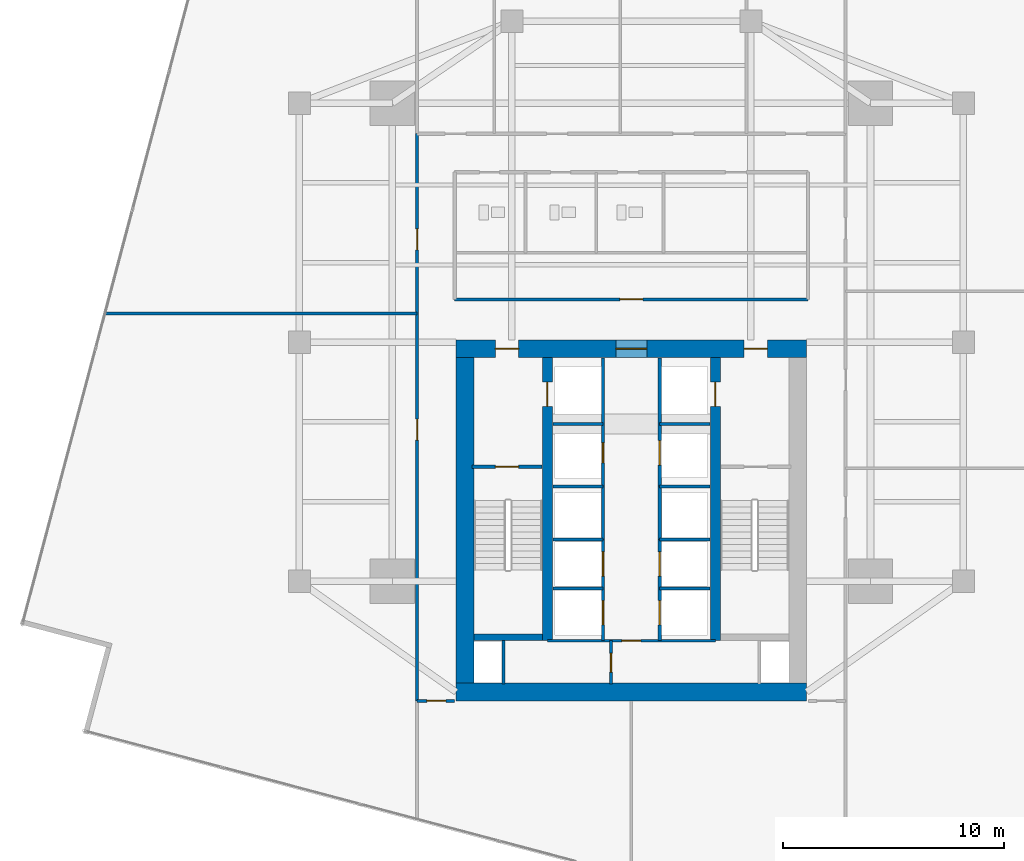
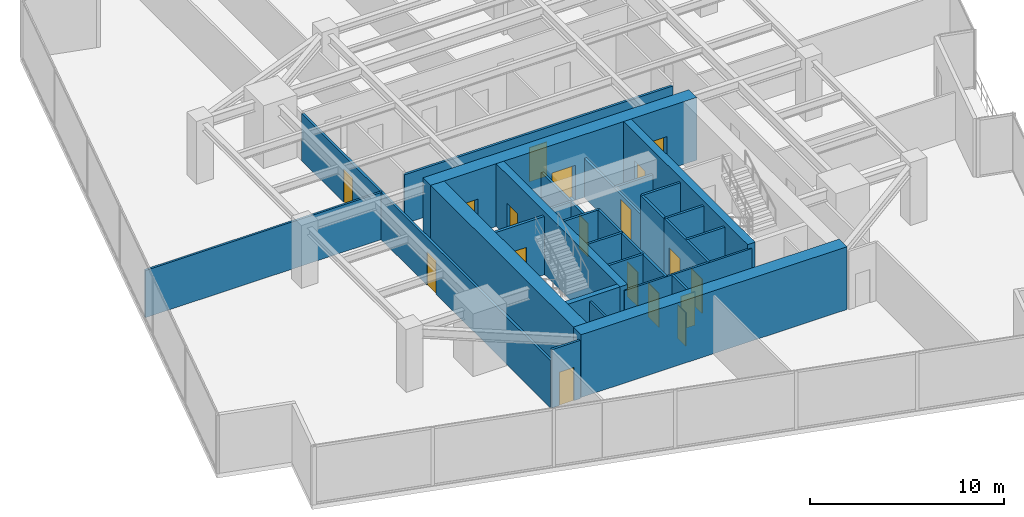
# One storey, part 23 of 27: 28 walls, 18 doors, 18 openings.
"""IFC4 building model written with IfcOpenShell, lengths in metres."""

from ifc_helpers import new_model, si_unit, direction, frame, frame_2d, origin, place, context, subcontext, project, spatial, rectangle, extrude, material, layer, layer_set, type_object, element, fill, save


model = new_model("IFC4")

# Units and contexts
model_context = context("Model", 3, precision=1e-05, world=origin(), true_north=direction((0.0, 1.0)))
body_context = subcontext(model_context, "Body", "Model", "MODEL_VIEW")
ifc_project = project(units=[si_unit("LENGTHUNIT", "METRE"), si_unit("AREAUNIT", "SQUARE_METRE"), si_unit("VOLUMEUNIT", "CUBIC_METRE"), si_unit("PLANEANGLEUNIT", "RADIAN"), si_unit("MASSUNIT", "GRAM", prefix="KILO")], contexts=[model_context])

# Site, building, storey
site_placement = place(None, origin())
site = spatial("IfcSite", under=ifc_project, at=site_placement, CompositionType="ELEMENT")
building_placement = place(site_placement, origin())
building = spatial("IfcBuilding", under=site, at=building_placement, Name="Krantzveldt Concourse Tower", CompositionType="ELEMENT")
storey_placement = place(building_placement, frame((0.0, 0.0, 97.949951171875)))
storey = spatial("IfcBuildingStorey", under=building, at=storey_placement, Name="L23", CompositionType="ELEMENT", Elevation=97.949951171875)

# Wall, opening, door
ifc_material_1 = material(Name="Fire-rated gypsum plasterboard on steel stud", Category="steel")
ifc_layer_1 = layer(ifc_material_1, 0.1201171875, Name="Fire-rated gypsum plasterboard on steel stud", Category="steel")
ifc_layer_set_1 = layer_set([ifc_layer_1], Name="Fire-rated gypsum plasterboard on steel stud (WL-PART-120)")
wall_type_1 = type_object("IfcWallType", Name="WL-PART-120", PredefinedType="PARTITIONING", material=ifc_layer_set_1)
wall_1_placement = place(storey_placement, frame((32.2099609375, 13.219970703125, 0.0), z_axis=(0.0, 0.0, 1.0), x_axis=(1.0, 0.0, 0.0)))
wall_1 = element("IfcWall", 1, at=wall_1_placement, inside=storey, type_object=wall_type_1, Name="WP-L23-CS2H", PredefinedType="PARTITIONING", context=body_context, shape_type="SweptSolid", body=[
    extrude(rectangle(XDim=7.580078125, YDim=0.1201171875, at=frame_2d((3.7900390625, 0.0))), origin(), (0.0, 0.0, 1.0), 3.670166015625),
])
opening_1_placement = place(wall_1_placement, frame((3.364990234375, 0.0, 0.0)))
opening_1 = element("IfcOpeningElement", 2, at=opening_1_placement, cuts=wall_1, Name="Opening D-IN085", PredefinedType="OPENING", context=body_context, shape_type="SweptSolid", body=[
    extrude(rectangle(XDim=0.85009765625, YDim=2.10009765625, at=frame_2d((0.425048828125, 1.050048828125))), frame((0.0, 0.070068359375, 0.0), z_axis=(0.0, -1.0, 0.0), x_axis=(1.0, 0.0, 0.0)), (0.0, 0.0, 1.0), 0.14013671875),
])
ifc_material_2 = material(Name="Hardwood timber", Category="wood")
door_type_1 = type_object("IfcDoorType", Name="DR-INT-850", OperationType="SINGLE_SWING_LEFT", PredefinedType="DOOR", material=ifc_material_2)
door_1_placement = place(opening_1_placement, origin())
door_1 = element("IfcDoor", 3, at=door_1_placement, inside=storey, type_object=door_type_1, Name="DR-L23-LLBS", OperationType="SINGLE_SWING_RIGHT", OverallHeight=2.10009765625, OverallWidth=0.85009765625, PredefinedType="DOOR", context=body_context, shape_type="SweptSolid", body=[
    extrude(rectangle(XDim=0.85009765625, YDim=2.10009765625, at=frame_2d((0.425048828125, 1.050048828125))), frame((0.0, 0.02490234375, 0.0), z_axis=(0.0, -1.0, 0.0), x_axis=(1.0, 0.0, 0.0)), (0.0, 0.0, 1.0), 0.050048828125),
])
fill(opening_1, door_1)

wall_2_placement = place(storey_placement, frame((35.080078125, 11.25, 0.0), z_axis=(0.0, 0.0, 1.0), x_axis=(0.0, 1.0, 0.0)))
wall_2 = element("IfcWall", 4, at=wall_2_placement, inside=storey, type_object=wall_type_1, Name="WP-L23-CSA-V", PredefinedType="PARTITIONING", context=body_context, shape_type="SweptSolid", body=[
    extrude(rectangle(XDim=1.969970703125, YDim=0.1201171875, at=frame_2d((0.98486328125, 0.0))), origin(), (0.0, 0.0, 1.0), 3.670166015625),
])
opening_2_placement = place(wall_2_placement, frame((0.544921875, 0.0, 0.0)))
opening_2 = element("IfcOpeningElement", 5, at=opening_2_placement, cuts=wall_2, Name="Opening D-IN085", PredefinedType="OPENING", context=body_context, shape_type="SweptSolid", body=[
    extrude(rectangle(XDim=0.85009765625, YDim=2.10009765625, at=frame_2d((0.425048828125, 1.050048828125))), frame((0.0, 0.070068359375, 0.0), z_axis=(0.0, -1.0, 0.0), x_axis=(1.0, 0.0, 0.0)), (0.0, 0.0, 1.0), 0.14013671875),
])
door_2_placement = place(opening_2_placement, origin())
door_2 = element("IfcDoor", 6, at=door_2_placement, inside=storey, type_object=door_type_1, Name="DR-L23-CSA1", OperationType="SINGLE_SWING_LEFT", OverallHeight=2.10009765625, OverallWidth=0.85009765625, PredefinedType="DOOR", context=body_context, shape_type="SweptSolid", body=[
    extrude(rectangle(XDim=0.85009765625, YDim=2.10009765625, at=frame_2d((0.425048828125, 1.050048828125))), frame((0.0, 0.02490234375, 0.0), z_axis=(0.0, -1.0, 0.0), x_axis=(1.0, 0.0, 0.0)), (0.0, 0.0, 1.0), 0.050048828125),
])
fill(opening_2, door_2)

# Wall
wall_3_placement = place(storey_placement, frame((12.22705078125, 28.0, 0.0), z_axis=(0.0, 0.0, 1.0), x_axis=(1.0, 0.0, 0.0)))
element("IfcWall", 7, at=wall_3_placement, inside=storey, type_object=wall_type_1, Name="WP-L23-WD1", PredefinedType="PARTITIONING", context=body_context, shape_type="SweptSolid", body=[
    extrude(rectangle(XDim=14.093017578125, YDim=0.1201171875, at=frame_2d((7.04638671875, 0.0))), origin(), (0.0, 0.0, 1.0), 2.969970703125),
])

# Wall, opening, door
ifc_layer_2 = layer(ifc_material_1, 0.139892578125, Name="Fire-rated gypsum plasterboard on steel stud", Category="steel")
ifc_layer_set_2 = layer_set([ifc_layer_2], Name="Fire-rated gypsum plasterboard on steel stud (WL-PART-140)")
wall_type_2 = type_object("IfcWallType", Name="WL-PART-140", PredefinedType="PARTITIONING", material=ifc_layer_set_2)
wall_4_placement = place(storey_placement, frame((28.02001953125, 28.639892578125, 0.0), z_axis=(0.0, 0.0, 1.0), x_axis=(1.0, 0.0, 0.0)))
wall_4 = element("IfcWall", 8, at=wall_4_placement, inside=storey, type_object=wall_type_2, Name="WP-L23-ISLS", PredefinedType="PARTITIONING", context=body_context, shape_type="SweptSolid", body=[
    extrude(rectangle(XDim=15.9599609375, YDim=0.139892578125, at=frame_2d((7.97998046875, 0.0))), origin(), (0.0, 0.0, 1.0), 3.080078125),
])
opening_3_placement = place(wall_4_placement, frame((7.455078125, 0.0, 0.0)))
opening_3 = element("IfcOpeningElement", 9, at=opening_3_placement, cuts=wall_4, Name="Opening D-IN105", PredefinedType="OPENING", context=body_context, shape_type="SweptSolid", body=[
    extrude(rectangle(XDim=1.050048828125, YDim=2.14990234375, at=frame_2d((0.52490234375, 1.074951171875))), frame((0.0, 0.080078125, 0.0), z_axis=(0.0, -1.0, 0.0), x_axis=(1.0, 0.0, 0.0)), (0.0, 0.0, 1.0), 0.159912109375),
])
door_type_2 = type_object("IfcDoorType", Name="DR-INT-1050", OperationType="SINGLE_SWING_LEFT", PredefinedType="DOOR", material=ifc_material_2)
door_3_placement = place(opening_3_placement, origin())
door_3 = element("IfcDoor", 10, at=door_3_placement, inside=storey, type_object=door_type_2, Name="DR-L23-MIDB", OperationType="SINGLE_SWING_LEFT", OverallHeight=2.14990234375, OverallWidth=1.050048828125, PredefinedType="DOOR", context=body_context, shape_type="SweptSolid", body=[
    extrude(rectangle(XDim=1.050048828125, YDim=2.14990234375, at=frame_2d((0.52490234375, 1.074951171875))), frame((0.0, 0.02490234375, 0.0), z_axis=(0.0, -1.0, 0.0), x_axis=(1.0, 0.0, 0.0)), (0.0, 0.0, 1.0), 0.050048828125),
])
fill(opening_3, door_3)

# Wall, openings, doors
wall_5_placement = place(storey_placement, frame((26.320068359375, 10.5, 0.0), z_axis=(0.0, 0.0, 1.0), x_axis=(0.0, 1.0, 0.0)))
wall_5 = element("IfcWall", 11, at=wall_5_placement, inside=storey, type_object=wall_type_2, Name="WP-L23-CWEST", PredefinedType="PARTITIONING", context=body_context, shape_type="SweptSolid", body=[
    extrude(rectangle(XDim=25.6201171875, YDim=0.139892578125, at=frame_2d((12.81005859375, 0.0))), origin(), (0.0, 0.0, 1.0), 2.969970703125),
])
opening_4_placement = place(wall_5_placement, frame((11.77490234375, 0.0, 0.0)))
opening_4 = element("IfcOpeningElement", 12, at=opening_4_placement, cuts=wall_5, Name="Opening D-IN095", PredefinedType="OPENING", context=body_context, shape_type="SweptSolid", body=[
    extrude(rectangle(XDim=0.949951171875, YDim=2.10009765625, at=frame_2d((0.47509765625, 1.050048828125))), frame((0.0, 0.080078125, 0.0), z_axis=(0.0, -1.0, 0.0), x_axis=(1.0, 0.0, 0.0)), (0.0, 0.0, 1.0), 0.159912109375),
])
opening_5_placement = place(wall_5_placement, frame((20.375, 0.0, 0.0)))
opening_5 = element("IfcOpeningElement", 13, at=opening_5_placement, cuts=wall_5, Name="Opening D-IN095", PredefinedType="OPENING", context=body_context, shape_type="SweptSolid", body=[
    extrude(rectangle(XDim=0.949951171875, YDim=2.10009765625, at=frame_2d((0.47509765625, 1.050048828125))), frame((0.0, 0.080078125, 0.0), z_axis=(0.0, -1.0, 0.0), x_axis=(1.0, 0.0, 0.0)), (0.0, 0.0, 1.0), 0.159912109375),
])
door_type_3 = type_object("IfcDoorType", Name="DR-INT-950", OperationType="SINGLE_SWING_LEFT", PredefinedType="DOOR", material=ifc_material_2)
door_4_placement = place(opening_4_placement, origin())
door_4 = element("IfcDoor", 14, at=door_4_placement, inside=storey, type_object=door_type_3, Name="DR-L23-WR1", OperationType="SINGLE_SWING_LEFT", OverallHeight=2.10009765625, OverallWidth=0.949951171875, PredefinedType="DOOR", context=body_context, shape_type="SweptSolid", body=[
    extrude(rectangle(XDim=0.949951171875, YDim=2.10009765625, at=frame_2d((0.47509765625, 1.050048828125))), frame((0.0, 0.02490234375, 0.0), z_axis=(0.0, -1.0, 0.0), x_axis=(1.0, 0.0, 0.0)), (0.0, 0.0, 1.0), 0.050048828125),
])
fill(opening_4, door_4)
door_5_placement = place(opening_5_placement, origin())
door_5 = element("IfcDoor", 15, at=door_5_placement, inside=storey, type_object=door_type_3, Name="DR-L23-WR2", OperationType="SINGLE_SWING_LEFT", OverallHeight=2.10009765625, OverallWidth=0.949951171875, PredefinedType="DOOR", context=body_context, shape_type="SweptSolid", body=[
    extrude(rectangle(XDim=0.949951171875, YDim=2.10009765625, at=frame_2d((0.47509765625, 1.050048828125))), frame((0.0, 0.02490234375, 0.0), z_axis=(0.0, -1.0, 0.0), x_axis=(1.0, 0.0, 0.0)), (0.0, 0.0, 1.0), 0.050048828125),
])
fill(opening_5, door_5)

# Wall, opening, door
wall_6_placement = place(storey_placement, frame((26.320068359375, 10.5, 0.0), z_axis=(0.0, 0.0, 1.0), x_axis=(1.0, 0.0, 0.0)))
wall_6 = element("IfcWall", 16, at=wall_6_placement, inside=storey, type_object=wall_type_2, Name="WP-L23-CWBOT", PredefinedType="PARTITIONING", context=body_context, shape_type="SweptSolid", body=[
    extrude(rectangle(XDim=1.679931640625, YDim=0.139892578125, at=frame_2d((0.83984375, 0.0))), origin(), (0.0, 0.0, 1.0), 3.670166015625),
])
opening_6_placement = place(wall_6_placement, frame((0.445068359375, 0.0, 0.0)))
opening_6 = element("IfcOpeningElement", 17, at=opening_6_placement, cuts=wall_6, Name="Opening D-IN085", PredefinedType="OPENING", context=body_context, shape_type="SweptSolid", body=[
    extrude(rectangle(XDim=0.85009765625, YDim=2.10009765625, at=frame_2d((0.425048828125, 1.050048828125))), frame((0.0, 0.080078125, 0.0), z_axis=(0.0, -1.0, 0.0), x_axis=(1.0, 0.0, 0.0)), (0.0, 0.0, 1.0), 0.159912109375),
])
door_6_placement = place(opening_6_placement, origin())
door_6 = element("IfcDoor", 18, at=door_6_placement, inside=storey, type_object=door_type_1, Name="DR-L23-SR1", OperationType="SINGLE_SWING_LEFT", OverallHeight=2.10009765625, OverallWidth=0.85009765625, PredefinedType="DOOR", context=body_context, shape_type="SweptSolid", body=[
    extrude(rectangle(XDim=0.85009765625, YDim=2.10009765625, at=frame_2d((0.425048828125, 1.050048828125))), frame((0.0, 0.02490234375, 0.0), z_axis=(0.0, -1.0, 0.0), x_axis=(1.0, 0.0, 0.0)), (0.0, 0.0, 1.0), 0.050048828125),
])
fill(opening_6, door_6)

ifc_layer_3 = layer(ifc_material_1, 0.139892578125, Name="Fire-rated gypsum plasterboard on steel stud", Category="steel")
ifc_layer_set_3 = layer_set([ifc_layer_3], Name="Fire-rated gypsum plasterboard on steel stud (WL-PART-FR140)")
wall_type_3 = type_object("IfcWallType", Name="WL-PART-FR140", PredefinedType="PARTITIONING", material=ifc_layer_set_3)
wall_7_placement = place(storey_placement, frame((34.719970703125, 20.199951171875, 0.0), z_axis=(0.0, 0.0, 1.0), x_axis=(0.0, 1.0, 0.0)))
wall_7 = element("IfcWall", 19, at=wall_7_placement, inside=storey, type_object=wall_type_3, Name="WP-L23-SHNW", PredefinedType="PARTITIONING", context=body_context, shape_type="SweptSolid", body=[
    extrude(rectangle(XDim=5.780029296875, YDim=0.139892578125, at=frame_2d((2.89013671875, 0.0))), origin(), (0.0, 0.0, 1.0), 2.469970703125),
])
opening_7_placement = place(wall_7_placement, frame((1.050048828125, 0.0, 0.0)))
opening_7 = element("IfcOpeningElement", 20, at=opening_7_placement, cuts=wall_7, Name="Opening D-FD090", PredefinedType="OPENING", context=body_context, shape_type="SweptSolid", body=[
    extrude(rectangle(XDim=0.89990234375, YDim=2.10009765625, at=frame_2d((0.449951171875, 1.050048828125))), frame((0.0, 0.080078125, 0.0), z_axis=(0.0, -1.0, 0.0), x_axis=(1.0, 0.0, 0.0)), (0.0, 0.0, 1.0), 0.159912109375),
])
door_type_4 = type_object("IfcDoorType", Name="DR-FD60-900", OperationType="SINGLE_SWING_LEFT", PredefinedType="DOOR", material=ifc_material_2)
door_7_placement = place(opening_7_placement, origin())
door_7 = element("IfcDoor", 21, at=door_7_placement, inside=storey, type_object=door_type_4, Name="Electrical Riser Access Door L23", OperationType="SINGLE_SWING_LEFT", OverallHeight=2.10009765625, OverallWidth=0.89990234375, PredefinedType="DOOR", context=body_context, shape_type="SweptSolid", body=[
    extrude(rectangle(XDim=0.89990234375, YDim=2.10009765625, at=frame_2d((0.449951171875, 1.050048828125))), frame((0.0, 0.02490234375, 0.0), z_axis=(0.0, -1.0, 0.0), x_axis=(1.0, 0.0, 0.0)), (0.0, 0.0, 1.0), 0.050048828125),
])
fill(opening_7, door_7)

wall_8_placement = place(storey_placement, frame((37.280029296875, 20.199951171875, 0.0), z_axis=(0.0, 0.0, 1.0), x_axis=(0.0, 1.0, 0.0)))
wall_8 = element("IfcWall", 22, at=wall_8_placement, inside=storey, type_object=wall_type_3, Name="WP-L23-SHNE", PredefinedType="PARTITIONING", context=body_context, shape_type="SweptSolid", body=[
    extrude(rectangle(XDim=5.780029296875, YDim=0.139892578125, at=frame_2d((2.89013671875, 0.0))), origin(), (0.0, 0.0, 1.0), 2.469970703125),
])
opening_8_placement = place(wall_8_placement, frame((0.949951171875, 0.0, 0.0)))
opening_8 = element("IfcOpeningElement", 23, at=opening_8_placement, cuts=wall_8, Name="Opening LD", PredefinedType="OPENING", context=body_context, shape_type="SweptSolid", body=[
    extrude(rectangle(XDim=1.10009765625, YDim=2.14990234375, at=frame_2d((0.550048828125, 1.074951171875))), frame((0.0, 0.080078125, 0.0), z_axis=(0.0, -1.0, 0.0), x_axis=(1.0, 0.0, 0.0)), (0.0, 0.0, 1.0), 0.159912109375),
])
ifc_material_3 = material(Name="Stainless steel 316L", Category="steel")
door_type_5 = type_object("IfcDoorType", Name="DR-SLIDE-LD1100", OperationType="DOUBLE_DOOR_SLIDING", PredefinedType="DOOR", material=ifc_material_3)
door_8_placement = place(opening_8_placement, origin())
door_8 = element("IfcDoor", 24, at=door_8_placement, inside=storey, type_object=door_type_5, Name="LD-L23-GL1", OperationType="DOUBLE_DOOR_SLIDING", OverallHeight=2.14990234375, OverallWidth=1.10009765625, PredefinedType="DOOR", context=body_context, shape_type="SweptSolid", body=[
    extrude(rectangle(XDim=1.10009765625, YDim=2.14990234375, at=frame_2d((0.550048828125, 1.074951171875))), frame((0.0, 0.02490234375, 0.0), z_axis=(0.0, -1.0, 0.0), x_axis=(1.0, 0.0, 0.0)), (0.0, 0.0, 1.0), 0.050048828125),
])
fill(opening_8, door_8)

# Walls
for number, where, z_axis, x_axis, name in (
    (25, (32.449951171875, 23.0, 0.0), (0.0, 0.0, 1.0), (1.0, 0.0, 0.0), "WP-L23-RISH"),
    (26, (37.280029296875, 23.0, 0.0), (0.0, 0.0, 1.0), (1.0, 0.0, 0.0), "WP-L23-GLH"),
):
    element("IfcWall", number, at=place(storey_placement, frame(where, z_axis=z_axis, x_axis=x_axis)), inside=storey, type_object=wall_type_3, Name=name, PredefinedType="PARTITIONING", context=body_context, shape_type="SweptSolid", body=[
        extrude(rectangle(XDim=2.27001953125, YDim=0.139892578125, at=frame_2d((1.135009765625, 0.0))), origin(), (0.0, 0.0, 1.0), 2.469970703125),
    ])
for number, where, z_axis, x_axis, name in (
    (27, (34.719970703125, 17.780029296875, 0.0), (0.0, 0.0, 1.0), (0.0, 1.0, 0.0), "WP-L23-SHNW2"),
    (28, (37.280029296875, 17.780029296875, 0.0), (0.0, 0.0, 1.0), (0.0, 1.0, 0.0), "WP-L23-SHNE2"),
):
    element("IfcWall", number, at=place(storey_placement, frame(where, z_axis=z_axis, x_axis=x_axis)), inside=storey, type_object=wall_type_3, Name=name, PredefinedType="PARTITIONING", context=body_context, shape_type="SweptSolid", body=[
        extrude(rectangle(XDim=2.419921875, YDim=0.139892578125, at=frame_2d((1.2099609375, 0.0))), origin(), (0.0, 0.0, 1.0), 3.670166015625),
    ])
for number, where, z_axis, x_axis, name in (
    (29, (32.449951171875, 17.780029296875, 0.0), (0.0, 0.0, 1.0), (1.0, 0.0, 0.0), "WP-L23-DIVW2"),
    (30, (32.449951171875, 20.179931640625, 0.0), (0.0, 0.0, 1.0), (1.0, 0.0, 0.0), "WP-L23-DIVW3"),
    (31, (37.280029296875, 17.780029296875, 0.0), (0.0, 0.0, 1.0), (1.0, 0.0, 0.0), "WP-L23-DIVE2"),
    (32, (37.280029296875, 20.179931640625, 0.0), (0.0, 0.0, 1.0), (1.0, 0.0, 0.0), "WP-L23-DIVE3"),
):
    element("IfcWall", number, at=place(storey_placement, frame(where, z_axis=z_axis, x_axis=x_axis)), inside=storey, type_object=wall_type_3, Name=name, PredefinedType="PARTITIONING", context=body_context, shape_type="SweptSolid", body=[
        extrude(rectangle(XDim=2.27001953125, YDim=0.139892578125, at=frame_2d((1.135009765625, 0.0))), origin(), (0.0, 0.0, 1.0), 3.670166015625),
    ])

# Wall, openings, doors
wall_9_placement = place(storey_placement, frame((34.719970703125, 13.219970703125, 0.0), z_axis=(0.0, 0.0, 1.0), x_axis=(0.0, 1.0, 0.0)))
wall_9 = element("IfcWall", 33, at=wall_9_placement, inside=storey, type_object=wall_type_3, Name="WP-L23-SHSW", PredefinedType="PARTITIONING", context=body_context, shape_type="SweptSolid", body=[
    extrude(rectangle(XDim=4.56005859375, YDim=0.139892578125, at=frame_2d((2.280029296875, 0.0))), origin(), (0.0, 0.0, 1.0), 3.670166015625),
])
opening_9_placement = place(wall_9_placement, frame((0.7099609375, 0.0, 0.0)))
opening_9 = element("IfcOpeningElement", 34, at=opening_9_placement, cuts=wall_9, Name="Opening LD", PredefinedType="OPENING", context=body_context, shape_type="SweptSolid", body=[
    extrude(rectangle(XDim=1.10009765625, YDim=2.14990234375, at=frame_2d((0.550048828125, 1.074951171875))), frame((0.0, 0.080078125, 0.0), z_axis=(0.0, -1.0, 0.0), x_axis=(1.0, 0.0, 0.0)), (0.0, 0.0, 1.0), 0.159912109375),
])
opening_10_placement = place(wall_9_placement, frame((2.909912109375, 0.0, 0.0)))
opening_10 = element("IfcOpeningElement", 35, at=opening_10_placement, cuts=wall_9, Name="Opening LD", PredefinedType="OPENING", context=body_context, shape_type="SweptSolid", body=[
    extrude(rectangle(XDim=1.10009765625, YDim=2.14990234375, at=frame_2d((0.550048828125, 1.074951171875))), frame((0.0, 0.080078125, 0.0), z_axis=(0.0, -1.0, 0.0), x_axis=(1.0, 0.0, 0.0)), (0.0, 0.0, 1.0), 0.159912109375),
])
door_9_placement = place(opening_9_placement, origin())
door_9 = element("IfcDoor", 36, at=door_9_placement, inside=storey, type_object=door_type_5, Name="LD-L23-PL1", OperationType="DOUBLE_DOOR_SLIDING", OverallHeight=2.14990234375, OverallWidth=1.10009765625, PredefinedType="DOOR", context=body_context, shape_type="SweptSolid", body=[
    extrude(rectangle(XDim=1.10009765625, YDim=2.14990234375, at=frame_2d((0.550048828125, 1.074951171875))), frame((0.0, 0.02490234375, 0.0), z_axis=(0.0, -1.0, 0.0), x_axis=(1.0, 0.0, 0.0)), (0.0, 0.0, 1.0), 0.050048828125),
])
fill(opening_9, door_9)
door_10_placement = place(opening_10_placement, origin())
door_10 = element("IfcDoor", 37, at=door_10_placement, inside=storey, type_object=door_type_5, Name="LD-L23-PL2", OperationType="DOUBLE_DOOR_SLIDING", OverallHeight=2.14990234375, OverallWidth=1.10009765625, PredefinedType="DOOR", context=body_context, shape_type="SweptSolid", body=[
    extrude(rectangle(XDim=1.10009765625, YDim=2.14990234375, at=frame_2d((0.550048828125, 1.074951171875))), frame((0.0, 0.02490234375, 0.0), z_axis=(0.0, -1.0, 0.0), x_axis=(1.0, 0.0, 0.0)), (0.0, 0.0, 1.0), 0.050048828125),
])
fill(opening_10, door_10)

# Wall
wall_10_placement = place(storey_placement, frame((32.449951171875, 15.580078125, 0.0), z_axis=(0.0, 0.0, 1.0), x_axis=(1.0, 0.0, 0.0)))
element("IfcWall", 38, at=wall_10_placement, inside=storey, type_object=wall_type_3, Name="WP-L23-DIVW1", PredefinedType="PARTITIONING", context=body_context, shape_type="SweptSolid", body=[
    extrude(rectangle(XDim=2.27001953125, YDim=0.139892578125, at=frame_2d((1.135009765625, 0.0))), origin(), (0.0, 0.0, 1.0), 3.670166015625),
])

# Wall, openings, doors
wall_11_placement = place(storey_placement, frame((37.280029296875, 13.219970703125, 0.0), z_axis=(0.0, 0.0, 1.0), x_axis=(0.0, 1.0, 0.0)))
wall_11 = element("IfcWall", 39, at=wall_11_placement, inside=storey, type_object=wall_type_3, Name="WP-L23-SHSE", PredefinedType="PARTITIONING", context=body_context, shape_type="SweptSolid", body=[
    extrude(rectangle(XDim=4.56005859375, YDim=0.139892578125, at=frame_2d((2.280029296875, 0.0))), origin(), (0.0, 0.0, 1.0), 3.670166015625),
])
opening_11_placement = place(wall_11_placement, frame((0.7099609375, 0.0, 0.0)))
opening_11 = element("IfcOpeningElement", 40, at=opening_11_placement, cuts=wall_11, Name="Opening LD", PredefinedType="OPENING", context=body_context, shape_type="SweptSolid", body=[
    extrude(rectangle(XDim=1.10009765625, YDim=2.14990234375, at=frame_2d((0.550048828125, 1.074951171875))), frame((0.0, 0.080078125, 0.0), z_axis=(0.0, -1.0, 0.0), x_axis=(1.0, 0.0, 0.0)), (0.0, 0.0, 1.0), 0.159912109375),
])
opening_12_placement = place(wall_11_placement, frame((2.909912109375, 0.0, 0.0)))
opening_12 = element("IfcOpeningElement", 41, at=opening_12_placement, cuts=wall_11, Name="Opening LD", PredefinedType="OPENING", context=body_context, shape_type="SweptSolid", body=[
    extrude(rectangle(XDim=1.10009765625, YDim=2.14990234375, at=frame_2d((0.550048828125, 1.074951171875))), frame((0.0, 0.080078125, 0.0), z_axis=(0.0, -1.0, 0.0), x_axis=(1.0, 0.0, 0.0)), (0.0, 0.0, 1.0), 0.159912109375),
])
door_11_placement = place(opening_11_placement, origin())
door_11 = element("IfcDoor", 42, at=door_11_placement, inside=storey, type_object=door_type_5, Name="LD-L23-PM1", OperationType="DOUBLE_DOOR_SLIDING", OverallHeight=2.14990234375, OverallWidth=1.10009765625, PredefinedType="DOOR", context=body_context, shape_type="SweptSolid", body=[
    extrude(rectangle(XDim=1.10009765625, YDim=2.14990234375, at=frame_2d((0.550048828125, 1.074951171875))), frame((0.0, 0.02490234375, 0.0), z_axis=(0.0, -1.0, 0.0), x_axis=(1.0, 0.0, 0.0)), (0.0, 0.0, 1.0), 0.050048828125),
])
fill(opening_11, door_11)
door_12_placement = place(opening_12_placement, origin())
door_12 = element("IfcDoor", 43, at=door_12_placement, inside=storey, type_object=door_type_5, Name="LD-L23-PM2", OperationType="DOUBLE_DOOR_SLIDING", OverallHeight=2.14990234375, OverallWidth=1.10009765625, PredefinedType="DOOR", context=body_context, shape_type="SweptSolid", body=[
    extrude(rectangle(XDim=1.10009765625, YDim=2.14990234375, at=frame_2d((0.550048828125, 1.074951171875))), frame((0.0, 0.02490234375, 0.0), z_axis=(0.0, -1.0, 0.0), x_axis=(1.0, 0.0, 0.0)), (0.0, 0.0, 1.0), 0.050048828125),
])
fill(opening_12, door_12)

# Walls
wall_12_placement = place(storey_placement, frame((37.280029296875, 15.580078125, 0.0), z_axis=(0.0, 0.0, 1.0), x_axis=(1.0, 0.0, 0.0)))
element("IfcWall", 44, at=wall_12_placement, inside=storey, type_object=wall_type_3, Name="WP-L23-DIVE1", PredefinedType="PARTITIONING", context=body_context, shape_type="SweptSolid", body=[
    extrude(rectangle(XDim=2.27001953125, YDim=0.139892578125, at=frame_2d((1.135009765625, 0.0))), origin(), (0.0, 0.0, 1.0), 3.670166015625),
])
wall_13_placement = place(storey_placement, frame((30.219970703125, 11.25, 0.0), z_axis=(0.0, 0.0, 1.0), x_axis=(0.0, 1.0, 0.0)))
element("IfcWall", 45, at=wall_13_placement, inside=storey, type_object=wall_type_3, Name="WP-L23-RSW", PredefinedType="PARTITIONING", context=body_context, shape_type="SweptSolid", body=[
    extrude(rectangle(XDim=1.969970703125, YDim=0.1201171875, at=frame_2d((0.98486328125, 0.0))), origin(), (0.0, 0.0, 1.0), 3.670166015625),
])

# Wall, opening, door
ifc_layer_4 = layer(ifc_material_1, 0.159912109375, Name="Fire-rated gypsum plasterboard on steel stud", Category="steel")
ifc_layer_set_4 = layer_set([ifc_layer_4], Name="Fire-rated gypsum plasterboard on steel stud (WL-PART-FR160)")
wall_type_4 = type_object("IfcWallType", Name="WL-PART-FR160", PredefinedType="PARTITIONING", material=ifc_layer_set_4)
wall_14_placement = place(storey_placement, frame((28.800048828125, 21.080078125, 0.0), z_axis=(0.0, 0.0, 1.0), x_axis=(1.0, 0.0, 0.0)))
wall_14 = element("IfcWall", 46, at=wall_14_placement, inside=storey, type_object=wall_type_4, Name="WP-L23-ST1", PredefinedType="PARTITIONING", context=body_context, shape_type="SweptSolid", body=[
    extrude(rectangle(XDim=3.159912109375, YDim=0.159912109375, at=frame_2d((1.580078125, 0.0))), origin(), (0.0, 0.0, 1.0), 3.670166015625),
])
opening_13_placement = place(wall_14_placement, frame((1.054931640625, 0.0, 0.0)))
opening_13 = element("IfcOpeningElement", 47, at=opening_13_placement, cuts=wall_14, Name="Opening D-FD105", PredefinedType="OPENING", context=body_context, shape_type="SweptSolid", body=[
    extrude(rectangle(XDim=1.050048828125, YDim=2.10009765625, at=frame_2d((0.52490234375, 1.050048828125))), frame((0.0, 0.08984375, 0.0), z_axis=(0.0, -1.0, 0.0), x_axis=(1.0, 0.0, 0.0)), (0.0, 0.0, 1.0), 0.179931640625),
])
ifc_material_4 = material(Name="Galvanised steel", Category="steel")
door_type_6 = type_object("IfcDoorType", Name="DR-FD120-1050", OperationType="SINGLE_SWING_LEFT", PredefinedType="DOOR", material=ifc_material_4)
door_13_placement = place(opening_13_placement, origin())
door_13 = element("IfcDoor", 48, at=door_13_placement, inside=storey, type_object=door_type_6, Name="DR-L23-ST1", OperationType="SINGLE_SWING_RIGHT", OverallHeight=2.10009765625, OverallWidth=1.050048828125, PredefinedType="DOOR", context=body_context, shape_type="SweptSolid", body=[
    extrude(rectangle(XDim=1.050048828125, YDim=2.10009765625, at=frame_2d((0.52490234375, 1.050048828125))), frame((0.0, 0.02490234375, 0.0), z_axis=(0.0, -1.0, 0.0), x_axis=(1.0, 0.0, 0.0)), (0.0, 0.0, 1.0), 0.050048828125),
])
fill(opening_13, door_13)

# Wall
ifc_material_5 = material(Name="Concrete C50/60", Category="concrete")
ifc_layer_5 = layer(ifc_material_5, 0.300048828125, Name="Concrete C50/60", Category="concrete")
ifc_layer_set_5 = layer_set([ifc_layer_5], Name="Concrete C50/60 (WL-SHEAR-300)")
wall_type_5 = type_object("IfcWallType", Name="WL-SHEAR-300", PredefinedType="SHEAR", material=ifc_layer_set_5)
wall_15_placement = place(storey_placement, frame((28.8798828125, 13.3701171875, 0.0), z_axis=(0.0, 0.0, 1.0), x_axis=(1.0, 0.0, 0.0)))
element("IfcWall", 49, at=wall_15_placement, inside=storey, type_object=wall_type_5, Name="CW-L23-ST1S", PredefinedType="SHEAR", context=body_context, shape_type="SweptSolid", body=[
    extrude(rectangle(XDim=3.10009765625, YDim=0.300048828125, at=frame_2d((1.550048828125, 0.0))), origin(), (0.0, 0.0, 1.0), 3.949951171875),
])

# Wall, opening, door
ifc_layer_6 = layer(ifc_material_5, 0.449951171875, Name="Concrete C50/60", Category="concrete")
ifc_layer_set_6 = layer_set([ifc_layer_6], Name="Concrete C50/60 (WL-SHEAR-450)")
wall_type_6 = type_object("IfcWallType", Name="WL-SHEAR-450", PredefinedType="SHEAR", material=ifc_layer_set_6)
wall_16_placement = place(storey_placement, frame((32.205078125, 13.219970703125, 0.0), z_axis=(0.0, 0.0, 1.0), x_axis=(0.0, 1.0, 0.0)))
wall_16 = element("IfcWall", 50, at=wall_16_placement, inside=storey, type_object=wall_type_6, Name="CW-L23-IW", PredefinedType="SHEAR", context=body_context, shape_type="SweptSolid", body=[
    extrude(rectangle(XDim=12.780029296875, YDim=0.449951171875, at=frame_2d((6.39013671875, 0.0))), origin(), (0.0, 0.0, 1.0), 3.949951171875),
])
opening_14_placement = place(wall_16_placement, frame((10.580078125, 0.0, 0.0)))
opening_14 = element("IfcOpeningElement", 51, at=opening_14_placement, cuts=wall_16, Name="Opening LD", PredefinedType="OPENING", context=body_context, shape_type="SweptSolid", body=[
    extrude(rectangle(XDim=1.10009765625, YDim=2.14990234375, at=frame_2d((0.550048828125, 1.074951171875))), frame((0.0, 0.23486328125, 0.0), z_axis=(0.0, -1.0, 0.0), x_axis=(1.0, 0.0, 0.0)), (0.0, 0.0, 1.0), 0.469970703125),
])
door_14_placement = place(opening_14_placement, origin())
door_14 = element("IfcDoor", 52, at=door_14_placement, inside=storey, type_object=door_type_5, Name="LD-L23-FL1", OperationType="DOUBLE_DOOR_SLIDING", OverallHeight=2.14990234375, OverallWidth=1.10009765625, PredefinedType="DOOR", context=body_context, shape_type="SweptSolid", body=[
    extrude(rectangle(XDim=1.10009765625, YDim=2.14990234375, at=frame_2d((0.550048828125, 1.074951171875))), frame((0.0, 0.02490234375, 0.0), z_axis=(0.0, -1.0, 0.0), x_axis=(1.0, 0.0, 0.0)), (0.0, 0.0, 1.0), 0.050048828125),
])
fill(opening_14, door_14)

wall_17_placement = place(storey_placement, frame((39.794921875, 13.219970703125, 0.0), z_axis=(0.0, 0.0, 1.0), x_axis=(0.0, 1.0, 0.0)))
wall_17 = element("IfcWall", 53, at=wall_17_placement, inside=storey, type_object=wall_type_6, Name="CW-L23-IE", PredefinedType="SHEAR", context=body_context, shape_type="SweptSolid", body=[
    extrude(rectangle(XDim=12.780029296875, YDim=0.449951171875, at=frame_2d((6.39013671875, 0.0))), origin(), (0.0, 0.0, 1.0), 3.949951171875),
])
opening_15_placement = place(wall_17_placement, frame((10.580078125, 0.0, 0.0)))
opening_15 = element("IfcOpeningElement", 54, at=opening_15_placement, cuts=wall_17, Name="Opening LD", PredefinedType="OPENING", context=body_context, shape_type="SweptSolid", body=[
    extrude(rectangle(XDim=1.10009765625, YDim=2.14990234375, at=frame_2d((0.550048828125, 1.074951171875))), frame((0.0, 0.23486328125, 0.0), z_axis=(0.0, -1.0, 0.0), x_axis=(1.0, 0.0, 0.0)), (0.0, 0.0, 1.0), 0.469970703125),
])
door_15_placement = place(opening_15_placement, origin())
door_15 = element("IfcDoor", 55, at=door_15_placement, inside=storey, type_object=door_type_5, Name="LD-L23-FL2", OperationType="DOUBLE_DOOR_SLIDING", OverallHeight=2.14990234375, OverallWidth=1.10009765625, PredefinedType="DOOR", context=body_context, shape_type="SweptSolid", body=[
    extrude(rectangle(XDim=1.10009765625, YDim=2.14990234375, at=frame_2d((0.550048828125, 1.074951171875))), frame((0.0, 0.02490234375, 0.0), z_axis=(0.0, -1.0, 0.0), x_axis=(1.0, 0.0, 0.0)), (0.0, 0.0, 1.0), 0.050048828125),
])
fill(opening_15, door_15)

# Wall
ifc_material_6 = material(Name="Concrete C60/75", Category="concrete")
ifc_layer_7 = layer(ifc_material_6, 0.800048828125, Name="Concrete C60/75", Category="concrete")
ifc_layer_set_7 = layer_set([ifc_layer_7], Name="Concrete C60/75 (WL-SHEAR-800)")
wall_type_7 = type_object("IfcWallType", Name="WL-SHEAR-800", PredefinedType="SHEAR", material=ifc_layer_set_7)
wall_18_placement = place(storey_placement, frame((28.080078125, 10.89990234375, 0.0), z_axis=(0.0, 0.0, 1.0), x_axis=(1.0, 0.0, 0.0)))
element("IfcWall", 56, at=wall_18_placement, inside=storey, type_object=wall_type_7, Name="CW-L23-S", PredefinedType="SHEAR", context=body_context, shape_type="SweptSolid", body=[
    extrude(rectangle(XDim=15.83984375, YDim=0.800048828125, at=frame_2d((7.919921875, 0.0))), origin(), (0.0, 0.0, 1.0), 3.949951171875),
])

# Wall, openings, doors
wall_19_placement = place(storey_placement, frame((28.080078125, 26.39990234375, 0.0), z_axis=(0.0, 0.0, 1.0), x_axis=(1.0, 0.0, 0.0)))
wall_19 = element("IfcWall", 57, at=wall_19_placement, inside=storey, type_object=wall_type_7, Name="CW-L23-N", PredefinedType="SHEAR", context=body_context, shape_type="SweptSolid", body=[
    extrude(rectangle(XDim=15.83984375, YDim=0.800048828125, at=frame_2d((7.919921875, 0.0))), origin(), (0.0, 0.0, 1.0), 3.949951171875),
])
opening_16_placement = place(wall_19_placement, frame((7.219970703125, 0.0, 0.0)))
opening_16 = element("IfcOpeningElement", 58, at=opening_16_placement, cuts=wall_19, Name="Opening D-DB140", PredefinedType="OPENING", context=body_context, shape_type="SweptSolid", body=[
    extrude(rectangle(XDim=1.39990234375, YDim=2.199951171875, at=frame_2d((0.699951171875, 1.10009765625))), frame((0.0, 0.41015625, 0.0), z_axis=(0.0, -1.0, 0.0), x_axis=(1.0, 0.0, 0.0)), (0.0, 0.0, 1.0), 0.820068359375),
])
opening_17_placement = place(wall_19_placement, frame((1.77490234375, 0.0, 0.0)))
opening_17 = element("IfcOpeningElement", 59, at=opening_17_placement, cuts=wall_19, Name="Opening D-FD105", PredefinedType="OPENING", context=body_context, shape_type="SweptSolid", body=[
    extrude(rectangle(XDim=1.050048828125, YDim=2.10009765625, at=frame_2d((0.52490234375, 1.050048828125))), frame((0.0, 0.41015625, 0.0), z_axis=(0.0, -1.0, 0.0), x_axis=(1.0, 0.0, 0.0)), (0.0, 0.0, 1.0), 0.820068359375),
])
opening_18_placement = place(wall_19_placement, frame((13.014892578125, 0.0, 0.0)))
opening_18 = element("IfcOpeningElement", 60, at=opening_18_placement, cuts=wall_19, Name="Opening D-FD105", PredefinedType="OPENING", context=body_context, shape_type="SweptSolid", body=[
    extrude(rectangle(XDim=1.050048828125, YDim=2.10009765625, at=frame_2d((0.52490234375, 1.050048828125))), frame((0.0, 0.41015625, 0.0), z_axis=(0.0, -1.0, 0.0), x_axis=(1.0, 0.0, 0.0)), (0.0, 0.0, 1.0), 0.820068359375),
])
ifc_material_7 = material(Name="Anodised aluminium 6063-T6", Category="aluminium")
door_type_7 = type_object("IfcDoorType", Name="DR-DBL-1400", OperationType="DOUBLE_DOOR_SINGLE_SWING", PredefinedType="DOOR", material=ifc_material_7)
door_16_placement = place(opening_16_placement, origin())
door_16 = element("IfcDoor", 61, at=door_16_placement, inside=storey, type_object=door_type_7, Name="DR-L23-LLB", OperationType="DOUBLE_DOOR_SINGLE_SWING", OverallHeight=2.199951171875, OverallWidth=1.39990234375, PredefinedType="DOOR", context=body_context, shape_type="SweptSolid", body=[
    extrude(rectangle(XDim=1.39990234375, YDim=2.199951171875, at=frame_2d((0.699951171875, 1.10009765625))), frame((0.0, 0.02490234375, 0.0), z_axis=(0.0, -1.0, 0.0), x_axis=(1.0, 0.0, 0.0)), (0.0, 0.0, 1.0), 0.050048828125),
])
fill(opening_16, door_16)
door_17_placement = place(opening_17_placement, origin())
door_17 = element("IfcDoor", 62, at=door_17_placement, inside=storey, type_object=door_type_6, Name="DR-L23-FFL1", OperationType="SINGLE_SWING_LEFT", OverallHeight=2.10009765625, OverallWidth=1.050048828125, PredefinedType="DOOR", context=body_context, shape_type="SweptSolid", body=[
    extrude(rectangle(XDim=1.050048828125, YDim=2.10009765625, at=frame_2d((0.52490234375, 1.050048828125))), frame((0.0, 0.02490234375, 0.0), z_axis=(0.0, -1.0, 0.0), x_axis=(1.0, 0.0, 0.0)), (0.0, 0.0, 1.0), 0.050048828125),
])
fill(opening_17, door_17)
door_18_placement = place(opening_18_placement, origin())
door_18 = element("IfcDoor", 63, at=door_18_placement, inside=storey, type_object=door_type_6, Name="DR-L23-FFL2", OperationType="SINGLE_SWING_RIGHT", OverallHeight=2.10009765625, OverallWidth=1.050048828125, PredefinedType="DOOR", context=body_context, shape_type="SweptSolid", body=[
    extrude(rectangle(XDim=1.050048828125, YDim=2.10009765625, at=frame_2d((0.52490234375, 1.050048828125))), frame((0.0, 0.02490234375, 0.0), z_axis=(0.0, -1.0, 0.0), x_axis=(1.0, 0.0, 0.0)), (0.0, 0.0, 1.0), 0.050048828125),
])
fill(opening_18, door_18)

# Wall
wall_20_placement = place(storey_placement, frame((28.47998046875, 11.300048828125, 0.0), z_axis=(0.0, 0.0, 1.0), x_axis=(0.0, 1.0, 0.0)))
element("IfcWall", 64, at=wall_20_placement, inside=storey, type_object=wall_type_7, Name="CW-L23-W", PredefinedType="SHEAR", context=body_context, shape_type="SweptSolid", body=[
    extrude(rectangle(XDim=14.699951171875, YDim=0.800048828125, at=frame_2d((7.35009765625, 0.0))), origin(), (0.0, 0.0, 1.0), 3.949951171875),
])

save(model, "model.ifc")
